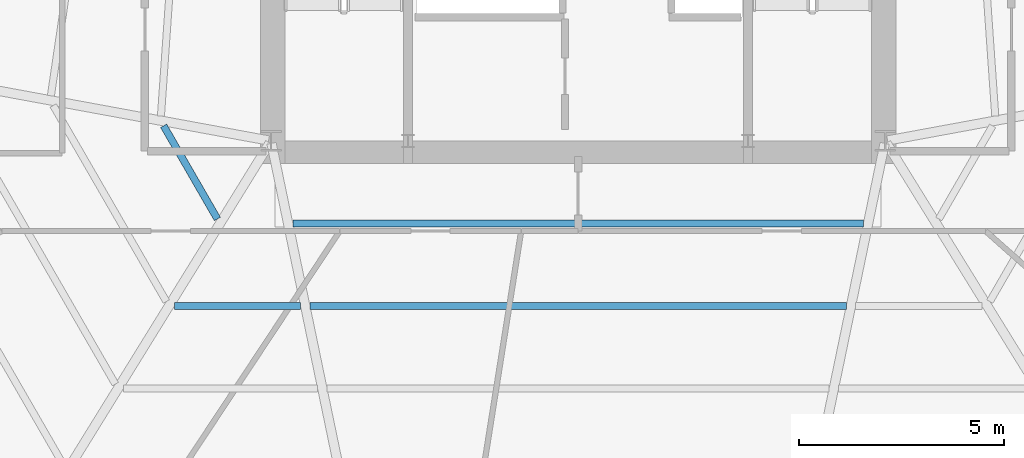
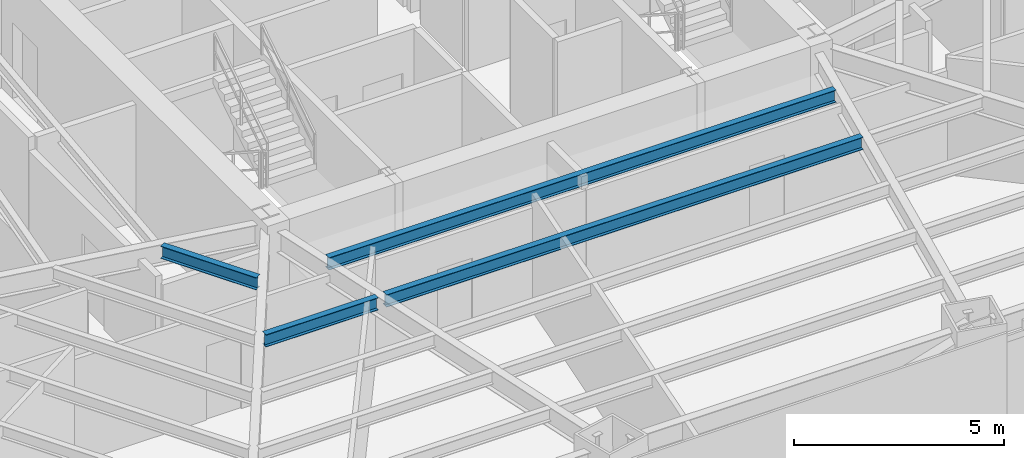
# One storey, part 9 of 34: 4 beams.
"""IFC4 building model written with IfcOpenShell, lengths in metres."""

from ifc_helpers import new_model, si_unit, direction, frame, origin, origin_2d, place, context, subcontext, project, spatial, i_section, extrude, source, transform, mapped, material, material_profile, profile_set, type_object, type_shapes, element, save


model = new_model("IFC4")

# Units and contexts
model_context = context("Model", 3, precision=1e-05, world=origin(), true_north=direction((0.0, 1.0)))
body_context = subcontext(model_context, "Body", "Model", "MODEL_VIEW")
ifc_project = project(units=[si_unit("LENGTHUNIT", "METRE"), si_unit("AREAUNIT", "SQUARE_METRE"), si_unit("VOLUMEUNIT", "CUBIC_METRE"), si_unit("PLANEANGLEUNIT", "RADIAN"), si_unit("MASSUNIT", "GRAM", prefix="KILO")], contexts=[model_context])

# Site, building, storey
site_placement = place(None, origin())
site = spatial("IfcSite", under=ifc_project, at=site_placement, CompositionType="ELEMENT")
building_placement = place(site_placement, origin())
building = spatial("IfcBuilding", under=site, at=building_placement, Name="Caelisora Broadcast Tower", CompositionType="ELEMENT")
storey_placement = place(building_placement, frame((0.0, 0.0, 49.5)))
storey = spatial("IfcBuildingStorey", under=building, at=storey_placement, Name="L12", CompositionType="ELEMENT", Elevation=49.5)

# Beams
ifc_material = material(Name="Steel Grade 350 (AS/NZS 3679.1)", Category="steel")
ifc_material_profile = material_profile(ifc_material, i_section(OverallWidth=0.172119140625, OverallDepth=0.358642578125, WebThickness=0.008056640625, FlangeThickness=0.012939453125, at=origin_2d()), Name="Steel Grade 350 (AS/NZS 3679.1)")
ifc_profile_set = profile_set([ifc_material_profile], Name="Steel Grade 350 (AS/NZS 3679.1)")
beam_type = type_object("IfcBeamType", Name="SB02", PredefinedType="JOIST", material=ifc_profile_set)
shared_shape_1 = source(origin(), body_context, "Body", "SweptSolid", [
    extrude(i_section(OverallWidth=0.172119140625, OverallDepth=0.358642578125, WebThickness=0.008056640625, FlangeThickness=0.012939453125, at=origin_2d()), origin(), (0.0, 0.0, 1.0), 2.626953125),
])
beam_1_placement = place(storey_placement, frame((27.877197265625, 17.76904296875, 3.220703125), z_axis=(0.499977197062, -0.866038568666, 0.0), x_axis=(0.866038568666, 0.499977197062, 0.0)))
element("IfcBeam", 1, at=beam_1_placement, inside=storey, type_object=beam_type, Name="L12 beam SB02", PredefinedType="JOIST", context=body_context, shape_type="MappedRepresentation", body=[
    mapped(shared_shape_1, transform((0.0, 0.0, 0.0), scale=1.0)),
])
shared_shape_2 = source(origin(), body_context, "Body", "SweptSolid", [
    extrude(i_section(OverallWidth=0.172119140625, OverallDepth=0.358642578125, WebThickness=0.008056640625, FlangeThickness=0.012939453125, at=origin_2d()), origin(), (0.0, 0.0, 1.0), 3.08349609375),
])
beam_2_placement = place(storey_placement, frame((28.138916015625, 13.36865234375, 3.220703125), z_axis=(1.0, 0.0, 0.0), x_axis=(0.0, 1.0, 0.0)))
element("IfcBeam", 2, at=beam_2_placement, inside=storey, type_object=beam_type, Name="L12 beam SB02", PredefinedType="JOIST", context=body_context, shape_type="MappedRepresentation", body=[
    mapped(shared_shape_2, transform((0.0, 0.0, 0.0), scale=1.0)),
])
shared_shape_3 = source(origin(), body_context, "Body", "SweptSolid", [
    extrude(i_section(OverallWidth=0.172119140625, OverallDepth=0.358642578125, WebThickness=0.008056640625, FlangeThickness=0.012939453125, at=origin_2d()), origin(), (0.0, 0.0, 1.0), 13.93701171875),
])
beam_3_placement = place(storey_placement, frame((31.031494140625, 15.38427734375, 3.220703125), z_axis=(1.0, 0.0, 0.0), x_axis=(0.0, 1.0, 0.0)))
element("IfcBeam", 3, at=beam_3_placement, inside=storey, type_object=beam_type, Name="L12 beam SB02", PredefinedType="JOIST", context=body_context, shape_type="MappedRepresentation", body=[
    mapped(shared_shape_3, transform((0.0, 0.0, 0.0), scale=1.0)),
])
shared_shape_4 = source(origin(), body_context, "Body", "SweptSolid", [
    extrude(i_section(OverallWidth=0.172119140625, OverallDepth=0.358642578125, WebThickness=0.008056640625, FlangeThickness=0.012939453125, at=origin_2d()), origin(), (0.0, 0.0, 1.0), 13.1015625),
])
type_shapes(beam_type, [shared_shape_1, shared_shape_2, shared_shape_3, shared_shape_4])
beam_4_placement = place(storey_placement, frame((31.44921875, 13.36865234375, 3.220703125), z_axis=(1.0, 0.0, 0.0), x_axis=(0.0, 1.0, 0.0)))
element("IfcBeam", 4, at=beam_4_placement, inside=storey, type_object=beam_type, Name="L12 beam SB02", PredefinedType="JOIST", context=body_context, shape_type="MappedRepresentation", body=[
    mapped(shared_shape_4, transform((0.0, 0.0, 0.0), scale=1.0)),
])

save(model, "model.ifc")
